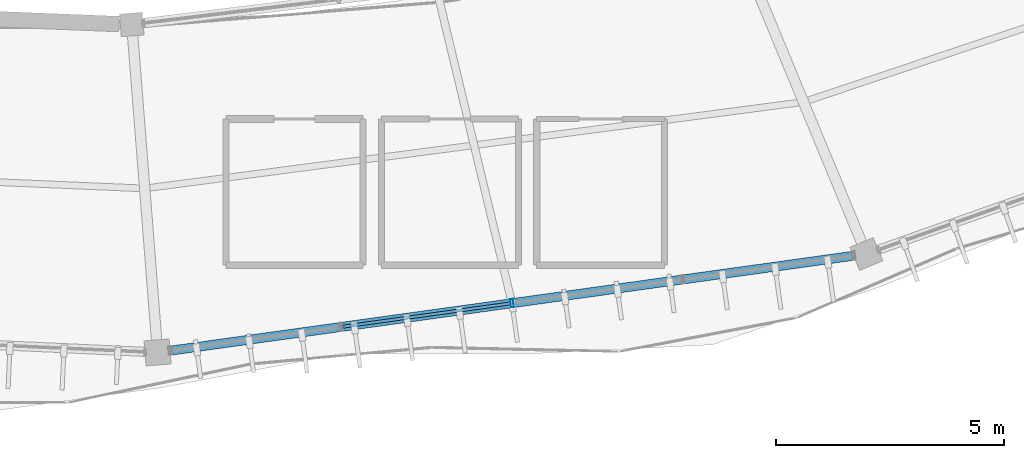
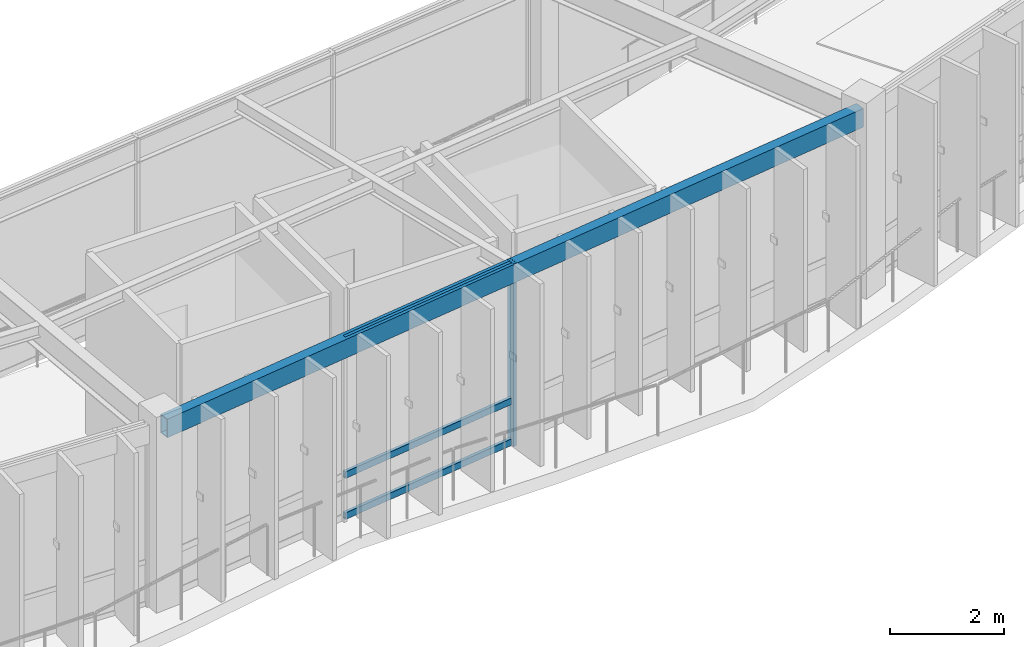
# One storey, part 19 of 79: 4 members, 1 beam, 1 element without a shape of its own.
"""IFC4 building model written with IfcOpenShell, lengths in metres."""

import ifcopenshell
import ifcopenshell.guid

model = None  # the IFC model being written
_history = None  # IfcOwnerHistory: only IFC2X3 demands one
_inside = {}  # id of a spatial element -> (the spatial element, [elements in it])
_under = {}  # id of a project, library or spatial element -> (it, [spatial elements below it])
_declared = {}  # id of a project -> (the project, [libraries it declares])
_typed = {}  # id of a type object -> (the type object, [elements of that type])
_made_of = {}  # id of a material, layer set ... -> (it, [elements and type objects made of it])


def new_model(schema):
    """Start an empty IFC model of exactly this schema.

    Asked for "IFC4X3", IfcOpenShell would pick the latest addendum, in which some entities
    have other attributes; the version numbers below select the first issue.
    IFC2X3 requires an IfcOwnerHistory on every rooted entity: one is made here for all.
    """
    global model, _history
    if schema == "IFC4X3":
        model = ifcopenshell.file(schema_version=(4, 3, 0, 0))
    else:
        model = ifcopenshell.file(schema=schema)
    _inside.clear()
    _under.clear()
    _declared.clear()
    _typed.clear()
    _made_of.clear()
    _history = None
    if model.schema == "IFC2X3":
        org = make("IfcOrganization", Name="unknown")
        user = make(
            "IfcPersonAndOrganization",
            ThePerson=make("IfcPerson", FamilyName="unknown"),
            TheOrganization=org,
        )
        app = make(
            "IfcApplication",
            ApplicationDeveloper=org,
            Version="unknown",
            ApplicationFullName="unknown",
            ApplicationIdentifier="unknown",
        )
        _history = make(
            "IfcOwnerHistory",
            OwningUser=user,
            OwningApplication=app,
            ChangeAction="ADDED",
            CreationDate=0,
        )
    return model


def make(cls, **values):
    """One entity of the class cls with the attributes given. An attribute that is None is left unset."""
    return model.create_entity(
        cls, **{name: value for name, value in values.items() if value is not None}
    )


def rooted(cls, **values):
    """An entity with a GlobalId (a new one), such as an element, a storey or a relation."""
    return make(cls, GlobalId=ifcopenshell.guid.new(), OwnerHistory=_history, **values)


def si_unit(unit_type, name, prefix=None):
    """IfcSIUnit, for example si_unit("LENGTHUNIT", "METRE", prefix="MILLI")."""
    return make("IfcSIUnit", UnitType=unit_type, Prefix=prefix, Name=name)


def assignment(units):
    """IfcUnitAssignment: the units of a project."""
    return None if units is None else make("IfcUnitAssignment", Units=units)


def point(xyz):
    """IfcCartesianPoint."""
    return None if xyz is None else make("IfcCartesianPoint", Coordinates=xyz)


def direction(xyz):
    """IfcDirection."""
    return None if xyz is None else make("IfcDirection", DirectionRatios=xyz)


def frame(location, z_axis=None, x_axis=None):
    """IfcAxis2Placement3D, a coordinate frame: its origin and axes. An axis left out is left unset."""
    return make(
        "IfcAxis2Placement3D",
        Location=point(location),
        Axis=direction(z_axis),
        RefDirection=direction(x_axis),
    )


def frame_2d(location, x_axis=None):
    """IfcAxis2Placement2D, a coordinate frame in the plane: its origin and x axis."""
    return make(
        "IfcAxis2Placement2D", Location=point(location), RefDirection=direction(x_axis)
    )


def origin():
    """The frame at (0, 0, 0) with its axes left unset."""
    return frame((0.0, 0.0, 0.0))


def origin_2d():
    """The frame at (0, 0) in the plane with its x axis left unset."""
    return frame_2d((0.0, 0.0))


def place(relative_to, where):
    """IfcLocalPlacement: puts the frame where relative to a parent placement (None: the world)."""
    return make(
        "IfcLocalPlacement", PlacementRelTo=relative_to, RelativePlacement=where
    )


def context(
    kind, dimensions, precision=None, world=None, true_north=None, identifier=None
):
    """IfcGeometricRepresentationContext, for example the 3D "Model" context."""
    return make(
        "IfcGeometricRepresentationContext",
        ContextIdentifier=identifier,
        ContextType=kind,
        CoordinateSpaceDimension=dimensions,
        Precision=precision,
        WorldCoordinateSystem=world,
        TrueNorth=true_north,
    )


def subcontext(parent, identifier, kind, view, scale=None):
    """IfcGeometricRepresentationSubContext, for example "Body" below "Model"."""
    return make(
        "IfcGeometricRepresentationSubContext",
        ContextIdentifier=identifier,
        ContextType=kind,
        ParentContext=parent,
        TargetScale=scale,
        TargetView=view,
    )


def project(units=None, contexts=None):
    """IfcProject with its units and contexts."""
    return rooted(
        "IfcProject",
        Name="project",
        RepresentationContexts=contexts,
        UnitsInContext=assignment(units),
    )


def spatial(cls, under=None, at=None, **own):
    """A site, building, storey or space (cls), placed at a placement, below another one or the project."""
    s = rooted(cls, ObjectPlacement=at, **own)
    if under is not None:
        _under.setdefault(under.id(), (under, []))[1].append(s)
    return s


def profile(cls, at=None, kind="AREA", **sizes):
    """A parametric profile (cls). Its sizes go by their IFC names, for example OverallWidth=200.0."""
    return make(cls, ProfileType=kind, Position=at, **sizes)


def hollow_rectangle(**sizes):
    """IfcRectangleHollowProfileDef."""
    return profile("IfcRectangleHollowProfileDef", **sizes)


def extrude(swept, where, along, depth):
    """IfcExtrudedAreaSolid: the profile swept, set in the frame where, extruded along a direction by depth."""
    return make(
        "IfcExtrudedAreaSolid",
        SweptArea=swept,
        Position=where,
        ExtrudedDirection=direction(along),
        Depth=depth,
    )


def shape(context_of_items, identifier, shape_type, items):
    """IfcShapeRepresentation: the items that make up one representation, for example the "Body"."""
    return make(
        "IfcShapeRepresentation",
        ContextOfItems=context_of_items,
        RepresentationIdentifier=identifier,
        RepresentationType=shape_type,
        Items=items,
    )


def material(Name=None, Category=None):
    """IfcMaterial."""
    return make("IfcMaterial", Name=Name, Category=Category)


def material_profile(
    of_material, cross_section, Name=None, Category=None, Priority=None
):
    """IfcMaterialProfile: a cross section and its material."""
    return make(
        "IfcMaterialProfile",
        Name=Name,
        Material=of_material,
        Profile=cross_section,
        Priority=Priority,
        Category=Category,
    )


def profile_set(profiles, Name=None, composite=None):
    """IfcMaterialProfileSet."""
    return make(
        "IfcMaterialProfileSet",
        Name=Name,
        MaterialProfiles=profiles,
        CompositeProfile=composite,
    )


def made_of(thing, what):
    """Note that an element or type object is made of a material, layer set ...; save() writes the relation."""
    if what is not None:
        _made_of.setdefault(what.id(), (what, []))[1].append(thing)
    return thing


def type_object(cls, material=None, **own):
    """A type object (cls), such as IfcWallType, which elements share."""
    return made_of(rooted(cls, **own), material)


def element(
    cls,
    number,
    at=None,
    inside=None,
    cuts=None,
    type_object=None,
    material=None,
    context=None,
    identifier="Body",
    shape_type=None,
    held_by="IfcProductDefinitionShape",
    body=None,
    shapes=None,
    **own,
):
    """One element of the class cls, such as IfcWall. Its Tag is "e" and its number.

    at: its placement. inside: the storey or other place that contains it. cuts: it is an
    opening in that element (IfcRelVoidsElement). A single representation is given by context,
    identifier, shape_type and body (its items); several are given by shapes. held_by: the class
    of the entity that holds the representations. save() writes the other relations.
    """
    e = rooted(cls, Tag="e%d" % number, ObjectPlacement=at, **own)
    if body is not None:
        shapes = [shape(context, identifier, shape_type, body)]
    if shapes is not None:
        e.Representation = make(held_by, Representations=shapes)
    if inside is not None:
        _inside.setdefault(inside.id(), (inside, []))[1].append(e)
    if cuts is not None:
        rooted(
            "IfcRelVoidsElement", RelatingBuildingElement=cuts, RelatedOpeningElement=e
        )
    if type_object is not None:
        _typed.setdefault(type_object.id(), (type_object, []))[1].append(e)
    return made_of(e, material)


def aggregate(whole, parts):
    """IfcRelAggregates: a whole, such as a stair, and the parts it consists of."""
    return rooted("IfcRelAggregates", RelatingObject=whole, RelatedObjects=parts)


def save(model, path):
    """Write the relations noted so far, then the file.

    IfcRelAggregates (storeys below a building ...), IfcRelContainedInSpatialStructure (elements
    in a storey), IfcRelDefinesByType, IfcRelAssociatesMaterial and IfcRelDeclares: one each for
    every whole, place, type object, material and project.
    """
    for whole, parts in _under.values():
        aggregate(whole, parts)
    for where, things in _inside.values():
        rooted(
            "IfcRelContainedInSpatialStructure",
            RelatedElements=things,
            RelatingStructure=where,
        )
    for kind, things in _typed.values():
        rooted("IfcRelDefinesByType", RelatedObjects=things, RelatingType=kind)
    for what, things in _made_of.values():
        rooted("IfcRelAssociatesMaterial", RelatedObjects=things, RelatingMaterial=what)
    for by, libraries in _declared.values():
        rooted("IfcRelDeclares", RelatingContext=by, RelatedDefinitions=libraries)
    model.write(path)


model = new_model("IFC4")

# Units and contexts
model_context = context("Model", 3, precision=1e-05, world=origin(), true_north=direction((0.0, 1.0)))
body_context = subcontext(model_context, "Body", "Model", "MODEL_VIEW")
ifc_project = project(units=[si_unit("LENGTHUNIT", "METRE"), si_unit("AREAUNIT", "SQUARE_METRE"), si_unit("VOLUMEUNIT", "CUBIC_METRE"), si_unit("PLANEANGLEUNIT", "RADIAN"), si_unit("MASSUNIT", "GRAM", prefix="KILO"), si_unit("THERMODYNAMICTEMPERATUREUNIT", "KELVIN"), si_unit("POWERUNIT", "WATT")], contexts=[model_context])

# Site, building, storey
site_placement = place(None, origin())
site = spatial("IfcSite", under=ifc_project, at=site_placement, CompositionType="ELEMENT")
building_placement = place(site_placement, origin())
building = spatial("IfcBuilding", under=site, at=building_placement, Name="Darbajah Civic Hall", CompositionType="ELEMENT")
storey_placement = place(building_placement, frame((0.0, 0.0, 22.199951171875)))
storey = spatial("IfcBuildingStorey", under=building, at=storey_placement, Name="L05", CompositionType="ELEMENT", Elevation=22.199951171875)

# Curtain wall, members
ifc_material_1 = material(Name="Anodised Bronze Aluminium and Low-E Glazing", Category="aluminium")
curtain_wall_type = type_object("IfcCurtainWallType", Name="Unitised Curtain Wall CW-72 15100x3900", PredefinedType="USERDEFINED", material=ifc_material_1)
curtain_wall_placement = place(storey_placement, origin())
curtain_wall = element("IfcCurtainWall", 1, at=curtain_wall_placement, inside=storey, type_object=curtain_wall_type, Name="L05 unitised curtain wall CW-V1O-L05-15", ObjectType="UNITISED CURTAIN WALL", PredefinedType="USERDEFINED")
ifc_material_2 = material(Name="Anodised Bronze Aluminium", Category="aluminium")
ifc_material_profile_1 = material_profile(ifc_material_2, hollow_rectangle(XDim=0.06494140625, YDim=0.179931640625, WallThickness=0.00390625, at=origin_2d()), Name="ALU MULLION 65x180")
ifc_profile_set_1 = profile_set([ifc_material_profile_1], Name="Anodised Bronze Aluminium")
member_type_1 = type_object("IfcMemberType", Name="ALU MULLION 65x180", PredefinedType="MULLION", material=ifc_profile_set_1)
member_1_placement = place(storey_placement, frame((100.859130859375, 61.46826171875, 0.0), z_axis=(0.0, 0.0, 1.0), x_axis=(0.990485459553, 0.137617420457, 0.0)))
member_1 = element("IfcMember", 2, at=member_1_placement, type_object=member_type_1, Name="CW-V1O-L05-15 mullion 3", PredefinedType="MULLION", context=body_context, shape_type="SweptSolid", body=[
    extrude(hollow_rectangle(XDim=0.06494140625, YDim=0.179931640625, WallThickness=0.00390625, at=origin_2d()), origin(), (0.0, 0.0, 1.0), 3.920166015625),
])
ifc_material_profile_2 = material_profile(ifc_material_2, hollow_rectangle(XDim=0.06494140625, YDim=0.139892578125, WallThickness=0.00341796875, at=origin_2d()), Name="ALU TRANSOM 65x140")
ifc_profile_set_2 = profile_set([ifc_material_profile_2], Name="Anodised Bronze Aluminium")
member_type_2 = type_object("IfcMemberType", Name="ALU TRANSOM 65x140", PredefinedType="USERDEFINED", material=ifc_profile_set_2)
member_2_placement = place(storey_placement, frame((97.154541015625, 60.953857421875, 0.070068359375), z_axis=(0.990495766836, 0.137543214593, 0.0), x_axis=(-0.137543214593, 0.990495766836, 0.0)))
member_2 = element("IfcMember", 3, at=member_2_placement, type_object=member_type_2, Name="CW-V1O-L05-15 transom 2.1", ObjectType="TRANSOM", PredefinedType="USERDEFINED", context=body_context, shape_type="SweptSolid", body=[
    extrude(hollow_rectangle(XDim=0.06494140625, YDim=0.139892578125, WallThickness=0.00341796875, at=origin_2d()), origin(), (0.0, 0.0, 1.0), 3.70263671875),
])
member_3_placement = place(storey_placement, frame((97.154541015625, 60.953857421875, 0.949951171875), z_axis=(0.990495766836, 0.137543214593, 0.0), x_axis=(-0.137543214593, 0.990495766836, 0.0)))
member_3 = element("IfcMember", 4, at=member_3_placement, type_object=member_type_2, Name="CW-V1O-L05-15 transom 2.2", ObjectType="TRANSOM", PredefinedType="USERDEFINED", context=body_context, shape_type="SweptSolid", body=[
    extrude(hollow_rectangle(XDim=0.06494140625, YDim=0.139892578125, WallThickness=0.00341796875, at=origin_2d()), origin(), (0.0, 0.0, 1.0), 3.70263671875),
])
member_4_placement = place(storey_placement, frame((97.154541015625, 60.953857421875, 3.85009765625), z_axis=(0.990495766836, 0.137543214593, 0.0), x_axis=(-0.137543214593, 0.990495766836, 0.0)))
member_4 = element("IfcMember", 5, at=member_4_placement, type_object=member_type_2, Name="CW-V1O-L05-15 transom 2.3", ObjectType="TRANSOM", PredefinedType="USERDEFINED", context=body_context, shape_type="SweptSolid", body=[
    extrude(hollow_rectangle(XDim=0.06494140625, YDim=0.139892578125, WallThickness=0.00341796875, at=origin_2d()), origin(), (0.0, 0.0, 1.0), 3.70263671875),
])
aggregate(curtain_wall, [member_1, member_2, member_3, member_4])

# Beam
ifc_material_3 = material(Name="Steel S355JR", Category="steel")
ifc_material_profile_3 = material_profile(ifc_material_3, hollow_rectangle(XDim=0.199951171875, YDim=0.39990234375, WallThickness=0.013916015625, at=origin_2d()), Name="RHS 400x200x14")
ifc_profile_set_3 = profile_set([ifc_material_profile_3], Name="Steel S355JR")
beam_type = type_object("IfcBeamType", Name="RHS 400x200x14", PredefinedType="SPANDREL", material=ifc_profile_set_3)
beam_placement = place(storey_placement, frame((93.1806640625, 60.40185546875, 3.719970703125), z_axis=(0.990493107575, 0.137562363482, 0.0), x_axis=(-0.137562363482, 0.990493107575, 0.0)))
element("IfcBeam", 6, at=beam_placement, inside=storey, type_object=beam_type, Name="L05 beam SP-RHS400", PredefinedType="SPANDREL", context=body_context, shape_type="SweptSolid", body=[
    extrude(hollow_rectangle(XDim=0.199951171875, YDim=0.39990234375, WallThickness=0.013916015625, at=origin_2d()), origin(), (0.0, 0.0, 1.0), 15.50439453125),
])

save(model, "model.ifc")
